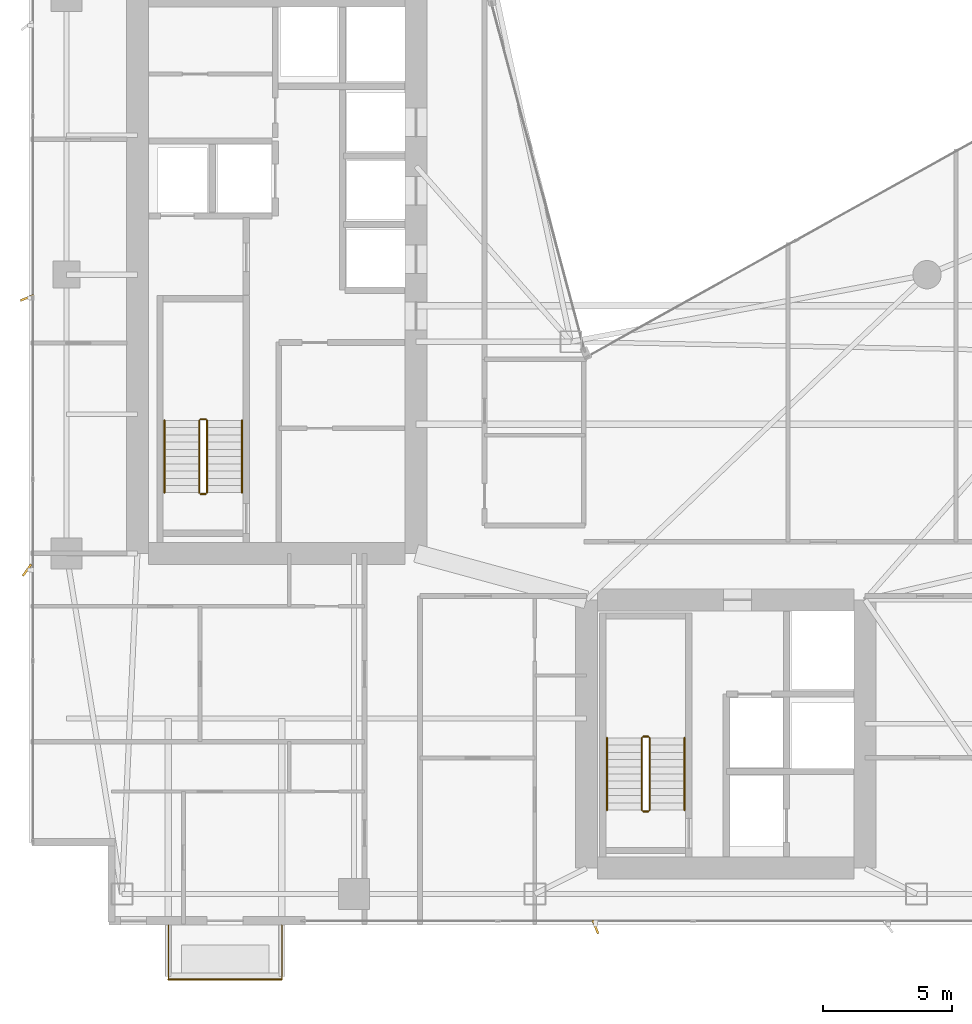
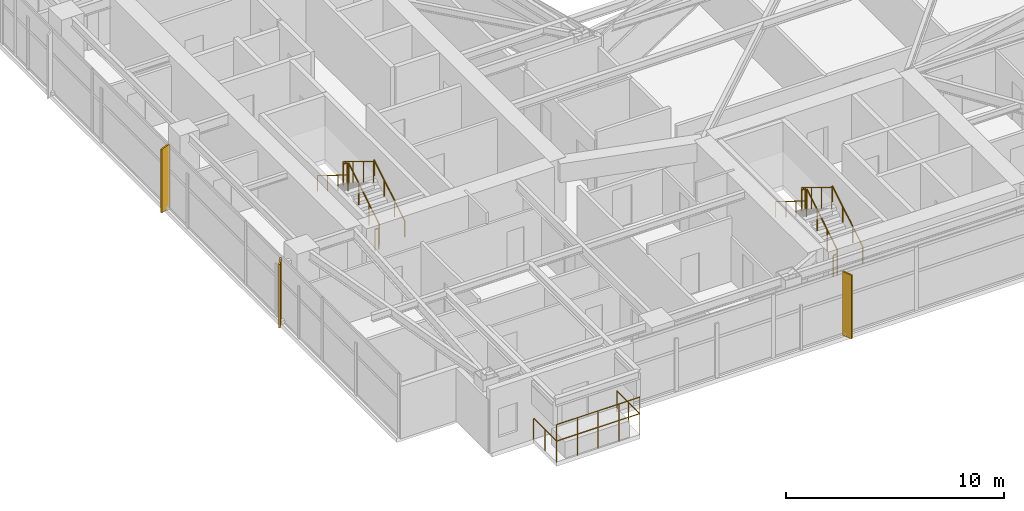
# One storey, part 27 of 28: 14 railings, 3 shading devices.
"""IFC4 building model written with IfcOpenShell, lengths in metres."""

from ifc_helpers import new_model, si_unit, direction, frame, origin, origin_2d, place, context, subcontext, project, spatial, rectangle, circle, extrude, material, type_object, element, save


model = new_model("IFC4")

# Units and contexts
model_context = context("Model", 3, precision=1e-05, world=origin(), true_north=direction((0.0, 1.0)))
body_context = subcontext(model_context, "Body", "Model", "MODEL_VIEW")
ifc_project = project(units=[si_unit("LENGTHUNIT", "METRE"), si_unit("AREAUNIT", "SQUARE_METRE"), si_unit("VOLUMEUNIT", "CUBIC_METRE"), si_unit("PLANEANGLEUNIT", "RADIAN"), si_unit("MASSUNIT", "GRAM", prefix="KILO")], contexts=[model_context])

# Site, building, storey
site_placement = place(None, origin())
site = spatial("IfcSite", under=ifc_project, at=site_placement, CompositionType="ELEMENT")
building_placement = place(site_placement, origin())
building = spatial("IfcBuilding", under=site, at=building_placement, Name="Calvorn Quay Hotel", CompositionType="ELEMENT")
storey_placement = place(building_placement, frame((0.0, 0.0, 159.89990234375)))
storey = spatial("IfcBuildingStorey", under=building, at=storey_placement, Name="L39", CompositionType="ELEMENT", Elevation=159.89990234375)

# Railings
ifc_material_1 = material(Name="Pale Anodised Aluminium and Laminated Glass", Category="aluminium")
railing_type_1 = type_object("IfcRailingType", Name="RLG-BALUSTRADE-1200", PredefinedType="BALUSTRADE", material=ifc_material_1)
railing_1_placement = place(storey_placement, frame((5.39990234375, 2.389892578125, 0.0)))
element("IfcRailing", 1, at=railing_1_placement, inside=storey, type_object=railing_type_1, Name="Tree Balcony Perimeter Balustrade L39-BALC-S", PredefinedType="BALUSTRADE", context=body_context, shape_type="SweptSolid", body=[
    extrude(circle(Radius=0.02392578125, at=origin_2d()), frame((0.0, 0.0, 1.17578125), z_axis=(0.0, -1.0, 0.0), x_axis=(1.0, 0.0, 0.0)), (0.0, 0.0, 1.0), 2.099853515625),
    extrude(circle(Radius=0.02392578125, at=origin_2d()), frame((0.0, -2.099853515625, 1.17578125), z_axis=(1.0, 0.0, 0.0), x_axis=(0.0, 1.0, 0.0)), (0.0, 0.0, 1.0), 4.400146484375),
    extrude(circle(Radius=0.02392578125, at=origin_2d()), frame((4.400146484375, -2.099853515625, 1.17578125), z_axis=(0.0, 1.0, 0.0), x_axis=(-1.0, 0.0, 0.0)), (0.0, 0.0, 1.0), 2.099853515625),
    extrude(circle(Radius=0.02099609375, at=origin_2d()), origin(), (0.0, 0.0, 1.0), 1.15185546875),
    extrude(circle(Radius=0.02099609375, at=origin_2d()), frame((0.0, -1.0498046875, 0.0)), (0.0, 0.0, 1.0), 1.15185546875),
    extrude(circle(Radius=0.02099609375, at=origin_2d()), frame((0.0, -2.099853515625, 0.0)), (0.0, 0.0, 1.0), 1.15185546875),
    extrude(circle(Radius=0.02099609375, at=origin_2d()), frame((1.10009765625, -2.099853515625, 0.0)), (0.0, 0.0, 1.0), 1.15185546875),
    extrude(circle(Radius=0.02099609375, at=origin_2d()), frame((2.2001953125, -2.099853515625, 0.0)), (0.0, 0.0, 1.0), 1.15185546875),
    extrude(circle(Radius=0.02099609375, at=origin_2d()), frame((3.300048828125, -2.099853515625, 0.0)), (0.0, 0.0, 1.0), 1.15185546875),
    extrude(circle(Radius=0.02099609375, at=origin_2d()), frame((4.400146484375, -2.099853515625, 0.0)), (0.0, 0.0, 1.0), 1.15185546875),
    extrude(circle(Radius=0.02099609375, at=origin_2d()), frame((4.400146484375, -1.0498046875, 0.0)), (0.0, 0.0, 1.0), 1.15185546875),
    extrude(circle(Radius=0.02099609375, at=origin_2d()), frame((4.400146484375, 0.0, 0.0)), (0.0, 0.0, 1.0), 1.15185546875),
])
railing_2_placement = place(storey_placement, frame((5.39990234375, 0.2900390625, 0.900146484375)))
element("IfcRailing", 2, at=railing_2_placement, inside=storey, type_object=railing_type_1, Name="Planter Kerb High Safety Screen L39-BALC-S", PredefinedType="BALUSTRADE", context=body_context, shape_type="SweptSolid", body=[
    extrude(circle(Radius=0.02392578125, at=origin_2d()), frame((0.0, 0.0, 1.19580078125), z_axis=(1.0, 0.0, 0.0), x_axis=(0.0, 1.0, 0.0)), (0.0, 0.0, 1.0), 4.400146484375),
    extrude(circle(Radius=0.02099609375, at=origin_2d()), origin(), (0.0, 0.0, 1.0), 1.171875),
    extrude(circle(Radius=0.02099609375, at=origin_2d()), frame((1.10009765625, 0.0, 0.0)), (0.0, 0.0, 1.0), 1.171875),
    extrude(circle(Radius=0.02099609375, at=origin_2d()), frame((2.2001953125, 0.0, 0.0)), (0.0, 0.0, 1.0), 1.171875),
    extrude(circle(Radius=0.02099609375, at=origin_2d()), frame((3.300048828125, 0.0, 0.0)), (0.0, 0.0, 1.0), 1.171875),
    extrude(circle(Radius=0.02099609375, at=origin_2d()), frame((4.400146484375, 0.0, 0.0)), (0.0, 0.0, 1.0), 1.171875),
])
ifc_material_2 = material(Name="Brushed Stainless Steel Handrail", Category="steel")
railing_type_2 = type_object("IfcRailingType", Name="RLG-HANDRAIL-900", PredefinedType="HANDRAIL", material=ifc_material_2)
railing_3_placement = place(storey_placement, frame((8.25, 19.14990234375, 0.1728515625)))
element("IfcRailing", 3, at=railing_3_placement, inside=storey, type_object=railing_type_2, Name="L39 ST-W stair handrail 1", PredefinedType="HANDRAIL", context=body_context, shape_type="SweptSolid", body=[
    extrude(circle(Radius=0.02392578125, at=origin_2d()), frame((0.0, 0.0, 0.8759765625), z_axis=(0.0, 0.851089632645, 0.525020415988), x_axis=(-1.0, 0.0, 0.0)), (0.0, 0.0, 1.0), 3.2900390625),
    extrude(circle(Radius=0.02099609375, at=origin_2d()), origin(), (0.0, 0.0, 1.0), 0.851806640625),
    extrude(circle(Radius=0.02099609375, at=origin_2d()), frame((0.0, 0.933349609375, 0.57568359375)), (0.0, 0.0, 1.0), 0.851806640625),
    extrude(circle(Radius=0.02099609375, at=origin_2d()), frame((0.0, 1.86669921875, 1.151611328125)), (0.0, 0.0, 1.0), 0.851806640625),
    extrude(circle(Radius=0.02099609375, at=origin_2d()), frame((0.0, 2.800048828125, 1.727294921875)), (0.0, 0.0, 1.0), 0.851806640625),
])
railing_4_placement = place(storey_placement, frame((5.25, 21.949951171875, 2.07275390625)))
element("IfcRailing", 4, at=railing_4_placement, inside=storey, type_object=railing_type_2, Name="L39 ST-W stair handrail 2", PredefinedType="HANDRAIL", context=body_context, shape_type="SweptSolid", body=[
    extrude(circle(Radius=0.02392578125, at=origin_2d()), frame((0.0, 0.0, 0.8759765625), z_axis=(0.0, -0.851089632645, 0.525020415988), x_axis=(1.0, 0.0, 0.0)), (0.0, 0.0, 1.0), 3.2900390625),
    extrude(circle(Radius=0.02099609375, at=origin_2d()), origin(), (0.0, 0.0, 1.0), 0.851806640625),
    extrude(circle(Radius=0.02099609375, at=origin_2d()), frame((0.0, -0.933349609375, 0.57568359375)), (0.0, 0.0, 1.0), 0.851806640625),
    extrude(circle(Radius=0.02099609375, at=origin_2d()), frame((0.0, -1.86669921875, 1.151611328125)), (0.0, 0.0, 1.0), 0.851806640625),
    extrude(circle(Radius=0.02099609375, at=origin_2d()), frame((0.0, -2.800048828125, 1.727294921875)), (0.0, 0.0, 1.0), 0.851806640625),
])
railing_5_placement = place(storey_placement, frame((25.39990234375, 6.85009765625, 0.1728515625)))
element("IfcRailing", 5, at=railing_5_placement, inside=storey, type_object=railing_type_2, Name="L39 ST-E stair handrail 1", PredefinedType="HANDRAIL", context=body_context, shape_type="SweptSolid", body=[
    extrude(circle(Radius=0.02392578125, at=origin_2d()), frame((0.0, 0.0, 0.8759765625), z_axis=(0.0, 0.851069175582, 0.525053576669), x_axis=(-1.0, 0.0, 0.0)), (0.0, 0.0, 1.0), 3.289794921875),
    extrude(circle(Radius=0.02099609375, at=origin_2d()), origin(), (0.0, 0.0, 1.0), 0.851806640625),
    extrude(circle(Radius=0.02099609375, at=origin_2d()), frame((0.0, 0.933349609375, 0.57568359375)), (0.0, 0.0, 1.0), 0.851806640625),
    extrude(circle(Radius=0.02099609375, at=origin_2d()), frame((0.0, 1.866455078125, 1.151611328125)), (0.0, 0.0, 1.0), 0.851806640625),
    extrude(circle(Radius=0.02099609375, at=origin_2d()), frame((0.0, 2.7998046875, 1.727294921875)), (0.0, 0.0, 1.0), 0.851806640625),
])
railing_6_placement = place(storey_placement, frame((22.39990234375, 9.64990234375, 2.07275390625)))
element("IfcRailing", 6, at=railing_6_placement, inside=storey, type_object=railing_type_2, Name="L39 ST-E stair handrail 2", PredefinedType="HANDRAIL", context=body_context, shape_type="SweptSolid", body=[
    extrude(circle(Radius=0.02392578125, at=origin_2d()), frame((0.0, 0.0, 0.8759765625), z_axis=(0.0, -0.851069175582, 0.525053576669), x_axis=(1.0, 0.0, 0.0)), (0.0, 0.0, 1.0), 3.289794921875),
    extrude(circle(Radius=0.02099609375, at=origin_2d()), origin(), (0.0, 0.0, 1.0), 0.851806640625),
    extrude(circle(Radius=0.02099609375, at=origin_2d()), frame((0.0, -0.933349609375, 0.57568359375)), (0.0, 0.0, 1.0), 0.851806640625),
    extrude(circle(Radius=0.02099609375, at=origin_2d()), frame((0.0, -1.866455078125, 1.151611328125)), (0.0, 0.0, 1.0), 0.851806640625),
    extrude(circle(Radius=0.02099609375, at=origin_2d()), frame((0.0, -2.7998046875, 1.727294921875)), (0.0, 0.0, 1.0), 0.851806640625),
])
ifc_material_3 = material(Name="Painted Galvanised Steel Balustrade", Category="steel")
railing_type_3 = type_object("IfcRailingType", Name="RLG-STAIR-GUARD-1120", PredefinedType="GUARDRAIL", material=ifc_material_3)
railing_7_placement = place(storey_placement, frame((6.89990234375, 19.14990234375, 0.1728515625)))
element("IfcRailing", 7, at=railing_7_placement, inside=storey, type_object=railing_type_3, Name="L39 ST-W stair guard 1", PredefinedType="GUARDRAIL", context=body_context, shape_type="SweptSolid", body=[
    extrude(circle(Radius=0.02392578125, at=origin_2d()), frame((0.0, 0.0, 1.17578125), z_axis=(0.0, 0.851089632645, 0.525020415988), x_axis=(-1.0, 0.0, 0.0)), (0.0, 0.0, 1.0), 3.2900390625),
    extrude(circle(Radius=0.02099609375, at=origin_2d()), origin(), (0.0, 0.0, 1.0), 1.15185546875),
    extrude(circle(Radius=0.02099609375, at=origin_2d()), frame((0.0, 0.933349609375, 0.57568359375)), (0.0, 0.0, 1.0), 1.15185546875),
    extrude(circle(Radius=0.02099609375, at=origin_2d()), frame((0.0, 1.86669921875, 1.151611328125)), (0.0, 0.0, 1.0), 1.15185546875),
    extrude(circle(Radius=0.02099609375, at=origin_2d()), frame((0.0, 2.800048828125, 1.727294921875)), (0.0, 0.0, 1.0), 1.15185546875),
])
railing_8_placement = place(storey_placement, frame((6.85009765625, 22.0, 1.900146484375)))
element("IfcRailing", 8, at=railing_8_placement, inside=storey, type_object=railing_type_3, Name="L39 ST-W stair guard 2", PredefinedType="GUARDRAIL", context=body_context, shape_type="SweptSolid", body=[
    extrude(circle(Radius=0.02392578125, at=origin_2d()), frame((0.0, 0.0, 1.17578125), z_axis=(-1.0, 0.0, 0.0), x_axis=(0.0, -1.0, 0.0)), (0.0, 0.0, 1.0), 0.2001953125),
    extrude(circle(Radius=0.02099609375, at=origin_2d()), origin(), (0.0, 0.0, 1.0), 1.15185546875),
    extrude(circle(Radius=0.02099609375, at=origin_2d()), frame((-0.2001953125, 0.0, 0.0)), (0.0, 0.0, 1.0), 1.15185546875),
])
railing_9_placement = place(storey_placement, frame((6.60009765625, 21.949951171875, 2.07275390625)))
element("IfcRailing", 9, at=railing_9_placement, inside=storey, type_object=railing_type_3, Name="L39 ST-W stair guard 3", PredefinedType="GUARDRAIL", context=body_context, shape_type="SweptSolid", body=[
    extrude(circle(Radius=0.02392578125, at=origin_2d()), frame((0.0, 0.0, 1.17578125), z_axis=(0.0, -0.851089632645, 0.525020415988), x_axis=(1.0, 0.0, 0.0)), (0.0, 0.0, 1.0), 3.2900390625),
    extrude(circle(Radius=0.02099609375, at=origin_2d()), origin(), (0.0, 0.0, 1.0), 1.15185546875),
    extrude(circle(Radius=0.02099609375, at=origin_2d()), frame((0.0, -0.933349609375, 0.57568359375)), (0.0, 0.0, 1.0), 1.15185546875),
    extrude(circle(Radius=0.02099609375, at=origin_2d()), frame((0.0, -1.86669921875, 1.151611328125)), (0.0, 0.0, 1.0), 1.15185546875),
    extrude(circle(Radius=0.02099609375, at=origin_2d()), frame((0.0, -2.800048828125, 1.727294921875)), (0.0, 0.0, 1.0), 1.15185546875),
])
railing_10_placement = place(storey_placement, frame((6.85009765625, 19.10009765625, 0.0)))
element("IfcRailing", 10, at=railing_10_placement, inside=storey, type_object=railing_type_3, Name="L39 ST-W stair guard 4", PredefinedType="GUARDRAIL", context=body_context, shape_type="SweptSolid", body=[
    extrude(circle(Radius=0.02392578125, at=origin_2d()), frame((0.0, 0.0, 1.17578125), z_axis=(-1.0, 0.0, 0.0), x_axis=(0.0, -1.0, 0.0)), (0.0, 0.0, 1.0), 0.2001953125),
    extrude(circle(Radius=0.02099609375, at=origin_2d()), origin(), (0.0, 0.0, 1.0), 1.15185546875),
    extrude(circle(Radius=0.02099609375, at=origin_2d()), frame((-0.2001953125, 0.0, 0.0)), (0.0, 0.0, 1.0), 1.15185546875),
])
railing_11_placement = place(storey_placement, frame((24.050048828125, 6.85009765625, 0.1728515625)))
element("IfcRailing", 11, at=railing_11_placement, inside=storey, type_object=railing_type_3, Name="L39 ST-E stair guard 1", PredefinedType="GUARDRAIL", context=body_context, shape_type="SweptSolid", body=[
    extrude(circle(Radius=0.02392578125, at=origin_2d()), frame((0.0, 0.0, 1.17578125), z_axis=(0.0, 0.851069175582, 0.525053576669), x_axis=(-1.0, 0.0, 0.0)), (0.0, 0.0, 1.0), 3.289794921875),
    extrude(circle(Radius=0.02099609375, at=origin_2d()), origin(), (0.0, 0.0, 1.0), 1.15185546875),
    extrude(circle(Radius=0.02099609375, at=origin_2d()), frame((0.0, 0.933349609375, 0.57568359375)), (0.0, 0.0, 1.0), 1.15185546875),
    extrude(circle(Radius=0.02099609375, at=origin_2d()), frame((0.0, 1.866455078125, 1.151611328125)), (0.0, 0.0, 1.0), 1.15185546875),
    extrude(circle(Radius=0.02099609375, at=origin_2d()), frame((0.0, 2.7998046875, 1.727294921875)), (0.0, 0.0, 1.0), 1.15185546875),
])
railing_12_placement = place(storey_placement, frame((24.0, 9.699951171875, 1.900146484375)))
element("IfcRailing", 12, at=railing_12_placement, inside=storey, type_object=railing_type_3, Name="L39 ST-E stair guard 2", PredefinedType="GUARDRAIL", context=body_context, shape_type="SweptSolid", body=[
    extrude(circle(Radius=0.02392578125, at=origin_2d()), frame((0.0, 0.0, 1.17578125), z_axis=(-1.0, 0.0, 0.0), x_axis=(0.0, -1.0, 0.0)), (0.0, 0.0, 1.0), 0.199951171875),
    extrude(circle(Radius=0.02099609375, at=origin_2d()), origin(), (0.0, 0.0, 1.0), 1.15185546875),
    extrude(circle(Radius=0.02099609375, at=origin_2d()), frame((-0.199951171875, 0.0, 0.0)), (0.0, 0.0, 1.0), 1.15185546875),
])
railing_13_placement = place(storey_placement, frame((23.75, 9.64990234375, 2.07275390625)))
element("IfcRailing", 13, at=railing_13_placement, inside=storey, type_object=railing_type_3, Name="L39 ST-E stair guard 3", PredefinedType="GUARDRAIL", context=body_context, shape_type="SweptSolid", body=[
    extrude(circle(Radius=0.02392578125, at=origin_2d()), frame((0.0, 0.0, 1.17578125), z_axis=(0.0, -0.851069175582, 0.525053576669), x_axis=(1.0, 0.0, 0.0)), (0.0, 0.0, 1.0), 3.289794921875),
    extrude(circle(Radius=0.02099609375, at=origin_2d()), origin(), (0.0, 0.0, 1.0), 1.15185546875),
    extrude(circle(Radius=0.02099609375, at=origin_2d()), frame((0.0, -0.933349609375, 0.57568359375)), (0.0, 0.0, 1.0), 1.15185546875),
    extrude(circle(Radius=0.02099609375, at=origin_2d()), frame((0.0, -1.866455078125, 1.151611328125)), (0.0, 0.0, 1.0), 1.15185546875),
    extrude(circle(Radius=0.02099609375, at=origin_2d()), frame((0.0, -2.7998046875, 1.727294921875)), (0.0, 0.0, 1.0), 1.15185546875),
])
railing_14_placement = place(storey_placement, frame((24.0, 6.800048828125, 0.0)))
element("IfcRailing", 14, at=railing_14_placement, inside=storey, type_object=railing_type_3, Name="L39 ST-E stair guard 4", PredefinedType="GUARDRAIL", context=body_context, shape_type="SweptSolid", body=[
    extrude(circle(Radius=0.02392578125, at=origin_2d()), frame((0.0, 0.0, 1.17578125), z_axis=(-1.0, 0.0, 0.0), x_axis=(0.0, -1.0, 0.0)), (0.0, 0.0, 1.0), 0.199951171875),
    extrude(circle(Radius=0.02099609375, at=origin_2d()), origin(), (0.0, 0.0, 1.0), 1.15185546875),
    extrude(circle(Radius=0.02099609375, at=origin_2d()), frame((-0.199951171875, 0.0, 0.0)), (0.0, 0.0, 1.0), 1.15185546875),
])

# Shading devices
ifc_material_4 = material(Name="Champagne Bronze Anodised Aluminium 6063-T6", Category="aluminium")
shading_device_type_1 = type_object("IfcShadingDeviceType", Name="SHD-FIN-A1", PredefinedType="USERDEFINED", material=ifc_material_4)
for number, where, z_axis, x_axis, name in (
    (15, (-0.080078125, 26.699951171875, 0.0), (0.0, 0.0, 1.0), (0.927183854567, 0.374606593416, 0.0), "Diagonal Sun-Shading Fin L39-W02"),
    (16, (21.949951171875, 2.320068359375, 0.0), (0.0, 0.0, 1.0), (-0.374606593416, 0.927183854567, 0.0), "Diagonal Sun-Shading Fin L39-S01"),
):
    element("IfcShadingDevice", number, at=place(storey_placement, frame(where, z_axis=z_axis, x_axis=x_axis)), inside=storey, type_object=shading_device_type_1, Name=name, ObjectType="FIN", PredefinedType="USERDEFINED", context=body_context, shape_type="SweptSolid", body=[
        extrude(rectangle(XDim=0.550048828125, YDim=0.080078125, at=origin_2d()), origin(), (0.0, 0.0, 1.0), 3.56005859375),
    ])
ifc_material_5 = material(Name="Champagne Bronze Anodised Aluminium 6063-T6", Category="aluminium")
shading_device_type_2 = type_object("IfcShadingDeviceType", Name="SHD-FIN-A3", PredefinedType="USERDEFINED", material=ifc_material_5)
shading_device_placement = place(storey_placement, frame((-0.080078125, 16.14990234375, 0.0), z_axis=(0.0, 0.0, 1.0), x_axis=(0.587785252292, 0.809016994375, 0.0)))
element("IfcShadingDevice", 17, at=shading_device_placement, inside=storey, type_object=shading_device_type_2, Name="Diagonal Sun-Shading Fin L39-W01", ObjectType="FIN", PredefinedType="USERDEFINED", context=body_context, shape_type="SweptSolid", body=[
    extrude(rectangle(XDim=0.550048828125, YDim=0.080078125, at=origin_2d()), origin(), (0.0, 0.0, 1.0), 3.56005859375),
])

save(model, "model.ifc")
